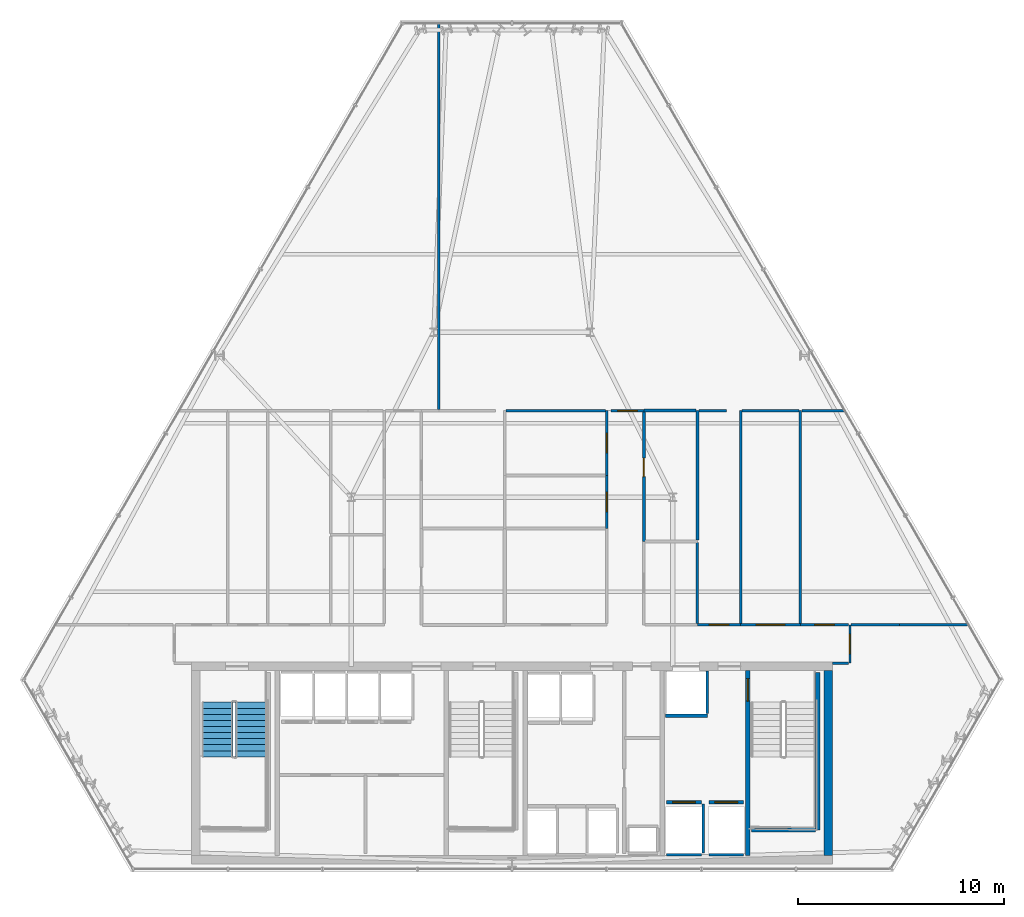
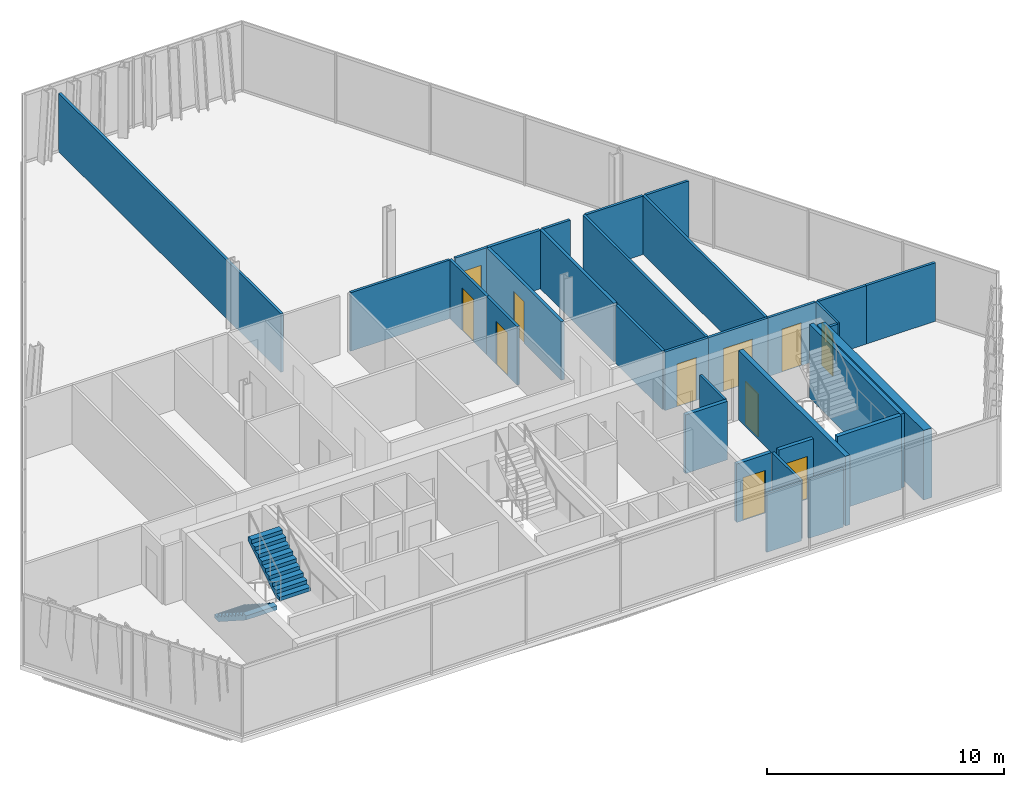
# One storey, part 29 of 33: 32 walls, 11 doors, 2 stair flights, 11 openings, 1 element without a shape of its own.
"""IFC4 building model written with IfcOpenShell, lengths in metres."""

from ifc_helpers import new_model, si_unit, direction, frame, frame_2d, origin, place, context, subcontext, project, spatial, polyline, rectangle, outline, extrude, material, layer, layer_set, type_object, element, fill, aggregate, save


model = new_model("IFC4")

# Units and contexts
model_context = context("Model", 3, precision=1e-05, world=origin(), true_north=direction((0.0, 1.0)))
body_context = subcontext(model_context, "Body", "Model", "MODEL_VIEW")
ifc_project = project(units=[si_unit("LENGTHUNIT", "METRE"), si_unit("AREAUNIT", "SQUARE_METRE"), si_unit("VOLUMEUNIT", "CUBIC_METRE"), si_unit("PLANEANGLEUNIT", "RADIAN"), si_unit("MASSUNIT", "GRAM", prefix="KILO")], contexts=[model_context])

# Site, building, storey
site_placement = place(None, origin())
site = spatial("IfcSite", under=ifc_project, at=site_placement, CompositionType="ELEMENT")
building_placement = place(site_placement, origin())
building = spatial("IfcBuilding", under=site, at=building_placement, Name="Ndaravel Arena Tower", CompositionType="ELEMENT")
storey_placement = place(building_placement, frame((0.0, 0.0, 168.800048828125)))
storey = spatial("IfcBuildingStorey", under=building, at=storey_placement, Name="L40", CompositionType="ELEMENT", Elevation=168.800048828125)

# Wall, opening, door
ifc_material_1 = material(Name="Concrete C50/60", Category="concrete")
ifc_layer_1 = layer(ifc_material_1, 0.219970703125)
ifc_layer_set_1 = layer_set([ifc_layer_1], Name="Concrete C50/60")
wall_type_1 = type_object("IfcWallType", Name="WALL-CORE-220", PredefinedType="SOLIDWALL", material=ifc_layer_set_1)
wall_1_placement = place(storey_placement, frame((53.449951171875, 5.800048828125, 0.0), z_axis=(0.0, 0.0, 1.0), x_axis=(0.0, 1.0, 0.0)))
wall_1 = element("IfcWall", 1, at=wall_1_placement, inside=storey, type_object=wall_type_1, Name="L40 Core Web Shear Wall 5", PredefinedType="SOLIDWALL", context=body_context, shape_type="SweptSolid", body=[
    extrude(rectangle(XDim=9.0, YDim=0.219970703125, at=frame_2d((4.5, 0.0))), origin(), (0.0, 0.0, 1.0), 3.579833984375),
])
opening_1_placement = place(wall_1_placement, frame((7.5, 0.0, 0.0)))
opening_1 = element("IfcOpeningElement", 2, at=opening_1_placement, cuts=wall_1, Name="Opening FD-01", PredefinedType="OPENING", context=body_context, shape_type="SweptSolid", body=[
    extrude(rectangle(XDim=1.10009765625, YDim=2.199951171875, at=frame_2d((0.550048828125, 1.10009765625))), frame((0.0, 0.10986328125, 0.0), z_axis=(0.0, -1.0, 0.0), x_axis=(1.0, 0.0, 0.0)), (0.0, 0.0, 1.0), 0.219970703125),
])
ifc_material_2 = material(Name="Steel S355", Category="steel")
door_type_1 = type_object("IfcDoorType", Name="DT-01-STAIR-1100", OperationType="SINGLE_SWING_LEFT", PredefinedType="DOOR", material=ifc_material_2)
door_1_placement = place(opening_1_placement, origin())
door_1 = element("IfcDoor", 3, at=door_1_placement, inside=storey, type_object=door_type_1, Name="L40 Firefighting Lobby to ST-3 Door", OperationType="SINGLE_SWING_LEFT", OverallHeight=2.199951171875, OverallWidth=1.10009765625, PredefinedType="DOOR", context=body_context, shape_type="SweptSolid", body=[
    extrude(rectangle(XDim=1.10009765625, YDim=2.199951171875, at=frame_2d((0.550048828125, 1.10009765625))), frame((0.0, 0.02490234375, 0.0), z_axis=(0.0, -1.0, 0.0), x_axis=(1.0, 0.0, 0.0)), (0.0, 0.0, 1.0), 0.050048828125),
])
fill(opening_1, door_1)

# Wall
ifc_material_3 = material(Name="Concrete C50/60", Category="concrete")
ifc_layer_2 = layer(ifc_material_3, 0.39990234375)
ifc_layer_set_2 = layer_set([ifc_layer_2], Name="Concrete C50/60")
wall_type_2 = type_object("IfcWallType", Name="WALL-CORE-400", PredefinedType="SOLIDWALL", material=ifc_layer_set_2)
wall_2_placement = place(storey_placement, frame((57.35009765625, 5.800048828125, 0.0), z_axis=(0.0, 0.0, 1.0), x_axis=(0.0, 1.0, 0.0)))
element("IfcWall", 4, at=wall_2_placement, inside=storey, type_object=wall_type_2, Name="L40 Core East Shear Wall", PredefinedType="SOLIDWALL", context=body_context, shape_type="SweptSolid", body=[
    extrude(rectangle(XDim=9.0, YDim=0.39990234375, at=frame_2d((4.5, 0.0))), origin(), (0.0, 0.0, 1.0), 3.579833984375),
])

# Wall, opening, door
ifc_material_4 = material(Name="Timber", Category="wood")
ifc_layer_3 = layer(ifc_material_4, 0.10009765625)
ifc_layer_set_3 = layer_set([ifc_layer_3], Name="Timber")
wall_type_3 = type_object("IfcWallType", Name="WALL-MOVABLE-100", PredefinedType="MOVABLE", material=ifc_layer_set_3)
wall_3_placement = place(storey_placement, frame((58.39990234375, 17.0, 0.0), z_axis=(0.0, 0.0, 1.0), x_axis=(0.0, -1.0, 0.0)))
wall_3 = element("IfcWall", 5, at=wall_3_placement, inside=storey, type_object=wall_type_3, Name="L40 Interior Partition 001", PredefinedType="MOVABLE", context=body_context, shape_type="SweptSolid", body=[
    extrude(rectangle(XDim=1.85009765625, YDim=0.10009765625, at=frame_2d((0.925048828125, 0.0))), origin(), (0.0, 0.0, 1.0), 3.010498046875),
])
opening_2_placement = place(wall_3_placement, frame((0.449951171875, 0.0, 0.0)))
opening_2 = element("IfcOpeningElement", 6, at=opening_2_placement, cuts=wall_3, Name="Opening ID-01", PredefinedType="OPENING", context=body_context, shape_type="SweptSolid", body=[
    extrude(rectangle(XDim=0.949951171875, YDim=2.199951171875, at=frame_2d((0.47509765625, 1.10009765625))), frame((0.0, 0.050048828125, 0.0), z_axis=(0.0, -1.0, 0.0), x_axis=(1.0, 0.0, 0.0)), (0.0, 0.0, 1.0), 0.10009765625),
])
ifc_material_5 = material(Name="Timber", Category="wood")
door_type_2 = type_object("IfcDoorType", Name="DT-03-OFFICE-950", OperationType="SINGLE_SWING_LEFT", PredefinedType="DOOR", material=ifc_material_5)
door_2_placement = place(opening_2_placement, origin())
door_2 = element("IfcDoor", 7, at=door_2_placement, inside=storey, type_object=door_type_2, Name="L40 Staff Wellness Clinic Door", OperationType="SINGLE_SWING_RIGHT", OverallHeight=2.199951171875, OverallWidth=0.949951171875, PredefinedType="DOOR", context=body_context, shape_type="SweptSolid", body=[
    extrude(rectangle(XDim=0.949951171875, YDim=2.199951171875, at=frame_2d((0.47509765625, 1.10009765625))), frame((0.0, 0.02490234375, 0.0), z_axis=(0.0, -1.0, 0.0), x_axis=(1.0, 0.0, 0.0)), (0.0, 0.0, 1.0), 0.050048828125),
])
fill(opening_2, door_2)

# Wall
ifc_material_6 = material(Name="Gypsum", Category="gypsum")
ifc_layer_4 = layer(ifc_material_6, 0.125)
ifc_layer_set_4 = layer_set([ifc_layer_4], Name="Gypsum")
wall_type_4 = type_object("IfcWallType", Name="WALL-PART-125", PredefinedType="PARTITIONING", material=ifc_layer_set_4)
wall_4_placement = place(storey_placement, frame((58.3349609375, 15.14990234375, 0.0), z_axis=(0.0, 0.0, 1.0), x_axis=(-1.0, 0.0, 0.0)))
element("IfcWall", 8, at=wall_4_placement, inside=storey, type_object=wall_type_4, Name="L40 Interior Partition 002", PredefinedType="PARTITIONING", context=body_context, shape_type="SweptSolid", body=[
    extrude(rectangle(XDim=0.784912109375, YDim=0.125, at=frame_2d((0.392578125, 0.0))), origin(), (0.0, 0.0, 1.0), 3.010498046875),
])

# Wall, opening, door
wall_5_placement = place(storey_placement, frame((46.60009765625, 21.679931640625, 0.0), z_axis=(0.0, 0.0, 1.0), x_axis=(0.0, 1.0, 0.0)))
wall_5 = element("IfcWall", 9, at=wall_5_placement, inside=storey, type_object=wall_type_4, Name="L40 Interior Partition 017", PredefinedType="PARTITIONING", context=body_context, shape_type="SweptSolid", body=[
    extrude(rectangle(XDim=2.573974609375, YDim=0.125, at=frame_2d((1.287109375, 0.0))), origin(), (0.0, 0.0, 1.0), 3.010498046875),
])
opening_3_placement = place(wall_5_placement, frame((0.81201171875, 0.0, 0.0)))
opening_3 = element("IfcOpeningElement", 10, at=opening_3_placement, cuts=wall_5, Name="Opening ID-01", PredefinedType="OPENING", context=body_context, shape_type="SweptSolid", body=[
    extrude(rectangle(XDim=0.949951171875, YDim=2.199951171875, at=frame_2d((0.47509765625, 1.10009765625))), frame((0.0, 0.0625, 0.0), z_axis=(0.0, -1.0, 0.0), x_axis=(1.0, 0.0, 0.0)), (0.0, 0.0, 1.0), 0.125),
])
door_3_placement = place(opening_3_placement, origin())
door_3 = element("IfcDoor", 11, at=door_3_placement, inside=storey, type_object=door_type_2, Name="L40 Staff Wellness Clinic 5 Door", OperationType="SINGLE_SWING_LEFT", OverallHeight=2.199951171875, OverallWidth=0.949951171875, PredefinedType="DOOR", context=body_context, shape_type="SweptSolid", body=[
    extrude(rectangle(XDim=0.949951171875, YDim=2.199951171875, at=frame_2d((0.47509765625, 1.10009765625))), frame((0.0, 0.02490234375, 0.0), z_axis=(0.0, -1.0, 0.0), x_axis=(1.0, 0.0, 0.0)), (0.0, 0.0, 1.0), 0.050048828125),
])
fill(opening_3, door_3)

wall_6_placement = place(storey_placement, frame((46.60009765625, 24.25390625, 0.0), z_axis=(0.0, 0.0, 1.0), x_axis=(0.0, 1.0, 0.0)))
wall_6 = element("IfcWall", 12, at=wall_6_placement, inside=storey, type_object=wall_type_4, Name="L40 Interior Partition 018", PredefinedType="PARTITIONING", context=body_context, shape_type="SweptSolid", body=[
    extrude(rectangle(XDim=3.14599609375, YDim=0.125, at=frame_2d((1.572998046875, 0.0))), origin(), (0.0, 0.0, 1.0), 3.010498046875),
])
opening_4_placement = place(wall_6_placement, frame((1.097900390625, 0.0, 0.0)))
opening_4 = element("IfcOpeningElement", 13, at=opening_4_placement, cuts=wall_6, Name="Opening ID-01", PredefinedType="OPENING", context=body_context, shape_type="SweptSolid", body=[
    extrude(rectangle(XDim=0.949951171875, YDim=2.199951171875, at=frame_2d((0.47509765625, 1.10009765625))), frame((0.0, 0.0625, 0.0), z_axis=(0.0, -1.0, 0.0), x_axis=(1.0, 0.0, 0.0)), (0.0, 0.0, 1.0), 0.125),
])
door_4_placement = place(opening_4_placement, origin())
door_4 = element("IfcDoor", 14, at=door_4_placement, inside=storey, type_object=door_type_2, Name="L40 Project Seminar Room 7 Door", OperationType="SINGLE_SWING_LEFT", OverallHeight=2.199951171875, OverallWidth=0.949951171875, PredefinedType="DOOR", context=body_context, shape_type="SweptSolid", body=[
    extrude(rectangle(XDim=0.949951171875, YDim=2.199951171875, at=frame_2d((0.47509765625, 1.10009765625))), frame((0.0, 0.02490234375, 0.0), z_axis=(0.0, -1.0, 0.0), x_axis=(1.0, 0.0, 0.0)), (0.0, 0.0, 1.0), 0.050048828125),
])
fill(opening_4, door_4)

wall_7_placement = place(storey_placement, frame((46.800048828125, 27.39990234375, 0.0), z_axis=(0.0, 0.0, 1.0), x_axis=(1.0, 0.0, 0.0)))
wall_7 = element("IfcWall", 15, at=wall_7_placement, inside=storey, type_object=wall_type_4, Name="L40 Interior Partition 019", PredefinedType="PARTITIONING", context=body_context, shape_type="SweptSolid", body=[
    extrude(rectangle(XDim=1.599853515625, YDim=0.125, at=frame_2d((0.7998046875, 0.0))), origin(), (0.0, 0.0, 1.0), 3.010498046875),
])
opening_5_placement = place(wall_7_placement, frame((0.324951171875, 0.0, 0.0)))
opening_5 = element("IfcOpeningElement", 16, at=opening_5_placement, cuts=wall_7, Name="Opening ID-01", PredefinedType="OPENING", context=body_context, shape_type="SweptSolid", body=[
    extrude(rectangle(XDim=0.949951171875, YDim=2.199951171875, at=frame_2d((0.47509765625, 1.10009765625))), frame((0.0, 0.0625, 0.0), z_axis=(0.0, -1.0, 0.0), x_axis=(1.0, 0.0, 0.0)), (0.0, 0.0, 1.0), 0.125),
])
door_5_placement = place(opening_5_placement, origin())
door_5 = element("IfcDoor", 17, at=door_5_placement, inside=storey, type_object=door_type_2, Name="L40 Training Classroom 8 Door", OperationType="SINGLE_SWING_LEFT", OverallHeight=2.199951171875, OverallWidth=0.949951171875, PredefinedType="DOOR", context=body_context, shape_type="SweptSolid", body=[
    extrude(rectangle(XDim=0.949951171875, YDim=2.199951171875, at=frame_2d((0.47509765625, 1.10009765625))), frame((0.0, 0.02490234375, 0.0), z_axis=(0.0, -1.0, 0.0), x_axis=(1.0, 0.0, 0.0)), (0.0, 0.0, 1.0), 0.050048828125),
])
fill(opening_5, door_5)

wall_8_placement = place(storey_placement, frame((51.0, 17.0, 0.0), z_axis=(0.0, 0.0, 1.0), x_axis=(1.0, 0.0, 0.0)))
wall_8 = element("IfcWall", 18, at=wall_8_placement, inside=storey, type_object=wall_type_4, Name="L40 Interior Partition 023", PredefinedType="PARTITIONING", context=body_context, shape_type="SweptSolid", body=[
    extrude(rectangle(XDim=2.10009765625, YDim=0.125, at=frame_2d((1.050048828125, 0.0))), origin(), (0.0, 0.0, 1.0), 3.010498046875),
])
opening_6_placement = place(wall_8_placement, frame((0.574951171875, 0.0, 0.0)))
opening_6 = element("IfcOpeningElement", 19, at=opening_6_placement, cuts=wall_8, Name="Opening ID-01", PredefinedType="OPENING", context=body_context, shape_type="SweptSolid", body=[
    extrude(rectangle(XDim=0.949951171875, YDim=2.199951171875, at=frame_2d((0.47509765625, 1.10009765625))), frame((0.0, 0.0625, 0.0), z_axis=(0.0, -1.0, 0.0), x_axis=(1.0, 0.0, 0.0)), (0.0, 0.0, 1.0), 0.125),
])
door_6_placement = place(opening_6_placement, origin())
door_6 = element("IfcDoor", 20, at=door_6_placement, inside=storey, type_object=door_type_2, Name="L40 Physio Therapy Room 4 Door", OperationType="SINGLE_SWING_LEFT", OverallHeight=2.199951171875, OverallWidth=0.949951171875, PredefinedType="DOOR", context=body_context, shape_type="SweptSolid", body=[
    extrude(rectangle(XDim=0.949951171875, YDim=2.199951171875, at=frame_2d((0.47509765625, 1.10009765625))), frame((0.0, 0.02490234375, 0.0), z_axis=(0.0, -1.0, 0.0), x_axis=(1.0, 0.0, 0.0)), (0.0, 0.0, 1.0), 0.050048828125),
])
fill(opening_6, door_6)

wall_9_placement = place(storey_placement, frame((53.10009765625, 17.0, 0.0), z_axis=(0.0, 0.0, 1.0), x_axis=(1.0, 0.0, 0.0)))
wall_9 = element("IfcWall", 21, at=wall_9_placement, inside=storey, type_object=wall_type_4, Name="L40 Interior Partition 024", PredefinedType="PARTITIONING", context=body_context, shape_type="SweptSolid", body=[
    extrude(rectangle(XDim=2.89990234375, YDim=0.125, at=frame_2d((1.449951171875, 0.0))), origin(), (0.0, 0.0, 1.0), 3.010498046875),
])
opening_7_placement = place(wall_9_placement, frame((0.75, 0.0, 0.0)))
opening_7 = element("IfcOpeningElement", 22, at=opening_7_placement, cuts=wall_9, Name="Opening ID-02", PredefinedType="OPENING", context=body_context, shape_type="SweptSolid", body=[
    extrude(rectangle(XDim=1.39990234375, YDim=2.199951171875, at=frame_2d((0.699951171875, 1.10009765625))), frame((0.0, 0.0625, 0.0), z_axis=(0.0, -1.0, 0.0), x_axis=(1.0, 0.0, 0.0)), (0.0, 0.0, 1.0), 0.125),
])
ifc_material_7 = material(Name="Timber", Category="wood")
door_type_3 = type_object("IfcDoorType", Name="DT-04-SUITE-1400", OperationType="DOUBLE_DOOR_SINGLE_SWING", PredefinedType="DOOR", material=ifc_material_7)
door_7_placement = place(opening_7_placement, origin())
door_7 = element("IfcDoor", 23, at=door_7_placement, inside=storey, type_object=door_type_3, Name="L40 Executive Boardroom 5 Door", OperationType="SINGLE_SWING_RIGHT", OverallHeight=2.199951171875, OverallWidth=1.39990234375, PredefinedType="DOOR", context=body_context, shape_type="SweptSolid", body=[
    extrude(rectangle(XDim=1.39990234375, YDim=2.199951171875, at=frame_2d((0.699951171875, 1.10009765625))), frame((0.0, 0.02490234375, 0.0), z_axis=(0.0, -1.0, 0.0), x_axis=(1.0, 0.0, 0.0)), (0.0, 0.0, 1.0), 0.050048828125),
])
fill(opening_7, door_7)

wall_10_placement = place(storey_placement, frame((56.0, 17.0, 0.0), z_axis=(0.0, 0.0, 1.0), x_axis=(1.0, 0.0, 0.0)))
wall_10 = element("IfcWall", 24, at=wall_10_placement, inside=storey, type_object=wall_type_4, Name="L40 Interior Partition 025", PredefinedType="PARTITIONING", context=body_context, shape_type="SweptSolid", body=[
    extrude(rectangle(XDim=2.3349609375, YDim=0.125, at=frame_2d((1.16748046875, 0.0))), origin(), (0.0, 0.0, 1.0), 3.010498046875),
])
opening_8_placement = place(wall_10_placement, frame((0.6923828125, 0.0, 0.0)))
opening_8 = element("IfcOpeningElement", 25, at=opening_8_placement, cuts=wall_10, Name="Opening ID-01", PredefinedType="OPENING", context=body_context, shape_type="SweptSolid", body=[
    extrude(rectangle(XDim=0.949951171875, YDim=2.199951171875, at=frame_2d((0.47509765625, 1.10009765625))), frame((0.0, 0.0625, 0.0), z_axis=(0.0, -1.0, 0.0), x_axis=(1.0, 0.0, 0.0)), (0.0, 0.0, 1.0), 0.125),
])
door_8_placement = place(opening_8_placement, origin())
door_8 = element("IfcDoor", 26, at=door_8_placement, inside=storey, type_object=door_type_2, Name="L40 Project Seminar Room 3 Door", OperationType="SINGLE_SWING_LEFT", OverallHeight=2.199951171875, OverallWidth=0.949951171875, PredefinedType="DOOR", context=body_context, shape_type="SweptSolid", body=[
    extrude(rectangle(XDim=0.949951171875, YDim=2.199951171875, at=frame_2d((0.47509765625, 1.10009765625))), frame((0.0, 0.02490234375, 0.0), z_axis=(0.0, -1.0, 0.0), x_axis=(1.0, 0.0, 0.0)), (0.0, 0.0, 1.0), 0.050048828125),
])
fill(opening_8, door_8)

# Walls
wall_11_placement = place(storey_placement, frame((58.465087890625, 17.0, 0.0), z_axis=(0.0, 0.0, 1.0), x_axis=(1.0, 0.0, 0.0)))
element("IfcWall", 27, at=wall_11_placement, inside=storey, type_object=wall_type_4, Name="L40 Interior Partition 028", PredefinedType="PARTITIONING", context=body_context, shape_type="SweptSolid", body=[
    extrude(rectangle(XDim=2.3349609375, YDim=0.125, at=frame_2d((1.16748046875, 0.0))), origin(), (0.0, 0.0, 1.0), 3.010498046875),
])
wall_12_placement = place(storey_placement, frame((60.800048828125, 17.0, 0.0), z_axis=(0.0, 0.0, 1.0), x_axis=(1.0, 0.0, 0.0)))
element("IfcWall", 28, at=wall_12_placement, inside=storey, type_object=wall_type_4, Name="L40 Interior Partition 029", PredefinedType="PARTITIONING", context=body_context, shape_type="SweptSolid", body=[
    extrude(rectangle(XDim=3.364501953125, YDim=0.125, at=frame_2d((1.68212890625, 0.0))), origin(), (0.0, 0.0, 1.0), 3.010498046875),
])
wall_13_placement = place(storey_placement, frame((51.0, 20.990966796875, 0.0), z_axis=(0.0, 0.0, 1.0), x_axis=(0.0, -1.0, 0.0)))
element("IfcWall", 29, at=wall_13_placement, inside=storey, type_object=wall_type_4, Name="L40 Interior Partition 031", PredefinedType="PARTITIONING", context=body_context, shape_type="SweptSolid", body=[
    extrude(rectangle(XDim=3.926025390625, YDim=0.125, at=frame_2d((1.962890625, 0.0))), origin(), (0.0, 0.0, 1.0), 3.010498046875),
])
wall_14_placement = place(storey_placement, frame((56.0, 17.06494140625, 0.0), z_axis=(0.0, 0.0, 1.0), x_axis=(0.0, 1.0, 0.0)))
element("IfcWall", 30, at=wall_14_placement, inside=storey, type_object=wall_type_4, Name="L40 Interior Partition 037", PredefinedType="PARTITIONING", context=body_context, shape_type="SweptSolid", body=[
    extrude(rectangle(XDim=10.3349609375, YDim=0.125, at=frame_2d((5.16748046875, 0.0))), origin(), (0.0, 0.0, 1.0), 3.010498046875),
])
wall_15_placement = place(storey_placement, frame((56.06494140625, 27.39990234375, 0.0), z_axis=(0.0, 0.0, 1.0), x_axis=(1.0, 0.0, 0.0)))
element("IfcWall", 31, at=wall_15_placement, inside=storey, type_object=wall_type_4, Name="L40 Interior Partition 038", PredefinedType="PARTITIONING", context=body_context, shape_type="SweptSolid", body=[
    extrude(rectangle(XDim=2.09521484375, YDim=0.125, at=frame_2d((1.047607421875, 0.0))), origin(), (0.0, 0.0, 1.0), 3.010498046875),
])
wall_16_placement = place(storey_placement, frame((51.06494140625, 27.39990234375, 0.0), z_axis=(0.0, 0.0, 1.0), x_axis=(1.0, 0.0, 0.0)))
element("IfcWall", 32, at=wall_16_placement, inside=storey, type_object=wall_type_4, Name="L40 Interior Partition 046", PredefinedType="PARTITIONING", context=body_context, shape_type="SweptSolid", body=[
    extrude(rectangle(XDim=1.3349609375, YDim=0.125, at=frame_2d((0.66748046875, 0.0))), origin(), (0.0, 0.0, 1.0), 3.010498046875),
])
wall_17_placement = place(storey_placement, frame((53.10009765625, 27.39990234375, 0.0), z_axis=(0.0, 0.0, 1.0), x_axis=(0.0, -1.0, 0.0)))
element("IfcWall", 33, at=wall_17_placement, inside=storey, type_object=wall_type_4, Name="L40 Interior Partition 047", PredefinedType="PARTITIONING", context=body_context, shape_type="SweptSolid", body=[
    extrude(rectangle(XDim=10.3349609375, YDim=0.125, at=frame_2d((5.16748046875, 0.0))), origin(), (0.0, 0.0, 1.0), 3.010498046875),
])
wall_18_placement = place(storey_placement, frame((53.1650390625, 27.39990234375, 0.0), z_axis=(0.0, 0.0, 1.0), x_axis=(1.0, 0.0, 0.0)))
element("IfcWall", 34, at=wall_18_placement, inside=storey, type_object=wall_type_4, Name="L40 Interior Partition 048", PredefinedType="PARTITIONING", context=body_context, shape_type="SweptSolid", body=[
    extrude(rectangle(XDim=2.77001953125, YDim=0.125, at=frame_2d((1.385009765625, 0.0))), origin(), (0.0, 0.0, 1.0), 3.010498046875),
])
wall_19_placement = place(storey_placement, frame((41.715087890625, 27.39990234375, 0.0), z_axis=(0.0, 0.0, 1.0), x_axis=(1.0, 0.0, 0.0)))
element("IfcWall", 35, at=wall_19_placement, inside=storey, type_object=wall_type_4, Name="L40 Interior Partition 057", PredefinedType="PARTITIONING", context=body_context, shape_type="SweptSolid", body=[
    extrude(rectangle(XDim=4.81982421875, YDim=0.125, at=frame_2d((2.409912109375, 0.0))), origin(), (0.0, 0.0, 1.0), 3.010498046875),
])
wall_20_placement = place(storey_placement, frame((38.44482421875, 46.20166015625, 0.0), z_axis=(0.0, 0.0, 1.0), x_axis=(0.0, -1.0, 0.0)))
element("IfcWall", 36, at=wall_20_placement, inside=storey, type_object=wall_type_4, Name="L40 Interior Partition 058", PredefinedType="PARTITIONING", context=body_context, shape_type="SweptSolid", body=[
    extrude(rectangle(XDim=18.736572265625, YDim=0.125, at=frame_2d((9.3681640625, 0.0))), origin(), (0.0, 0.0, 1.0), 3.010498046875),
])
ifc_material_8 = material(Name="Concrete C40/50", Category="concrete")
ifc_layer_5 = layer(ifc_material_8, 0.1201171875)
ifc_layer_set_5 = layer_set([ifc_layer_5], Name="Concrete C40/50")
wall_type_5 = type_object("IfcWallType", Name="WALL-SHAFT-120", PredefinedType="SOLIDWALL", material=ifc_layer_set_5)
wall_21_placement = place(storey_placement, frame((49.5048828125, 5.840087890625, 0.0), z_axis=(0.0, 0.0, 1.0), x_axis=(1.0, 0.0, 0.0)))
element("IfcWall", 37, at=wall_21_placement, inside=storey, type_object=wall_type_5, Name="L40 FFL-1 Shaft Rear Wall", PredefinedType="SOLIDWALL", context=body_context, shape_type="SweptSolid", body=[
    extrude(rectangle(XDim=1.690185546875, YDim=0.1201171875, at=frame_2d((0.84521484375, 0.0))), origin(), (0.0, 0.0, 1.0), 3.010498046875),
])
wall_22_placement = place(storey_placement, frame((51.27490234375, 5.929931640625, 0.0), z_axis=(0.0, 0.0, 1.0), x_axis=(0.0, 1.0, 0.0)))
element("IfcWall", 38, at=wall_22_placement, inside=storey, type_object=wall_type_5, Name="L40 FFL-1 Shaft Side R Wall", PredefinedType="SOLIDWALL", context=body_context, shape_type="SweptSolid", body=[
    extrude(rectangle(XDim=2.380126953125, YDim=0.1201171875, at=frame_2d((1.18994140625, 0.0))), origin(), (0.0, 0.0, 1.0), 3.010498046875),
])
wall_23_placement = place(storey_placement, frame((51.554931640625, 5.840087890625, 0.0), z_axis=(0.0, 0.0, 1.0), x_axis=(1.0, 0.0, 0.0)))
element("IfcWall", 39, at=wall_23_placement, inside=storey, type_object=wall_type_5, Name="L40 FFL-2 Shaft Rear Wall", PredefinedType="SOLIDWALL", context=body_context, shape_type="SweptSolid", body=[
    extrude(rectangle(XDim=1.690185546875, YDim=0.1201171875, at=frame_2d((0.84521484375, 0.0))), origin(), (0.0, 0.0, 1.0), 3.010498046875),
])
wall_24_placement = place(storey_placement, frame((51.47998046875, 12.68994140625, 0.0), z_axis=(0.0, 0.0, 1.0), x_axis=(0.0, 1.0, 0.0)))
element("IfcWall", 40, at=wall_24_placement, inside=storey, type_object=wall_type_5, Name="L40 SVL-1 Shaft E Wall", PredefinedType="SOLIDWALL", context=body_context, shape_type="SweptSolid", body=[
    extrude(rectangle(XDim=2.070068359375, YDim=0.1201171875, at=frame_2d((1.03515625, 0.0))), origin(), (0.0, 0.0, 1.0), 3.010498046875),
])
ifc_material_9 = material(Name="Concrete C40/50", Category="concrete")
ifc_layer_6 = layer(ifc_material_9, 0.199951171875)
ifc_layer_set_6 = layer_set([ifc_layer_6], Name="Concrete C40/50")
wall_type_6 = type_object("IfcWallType", Name="WALL-SHAFT-200", PredefinedType="SOLIDWALL", material=ifc_layer_set_6)
wall_25_placement = place(storey_placement, frame((56.840087890625, 14.699951171875, 0.0), z_axis=(0.0, 0.0, 1.0), x_axis=(0.0, -1.0, 0.0)))
element("IfcWall", 41, at=wall_25_placement, inside=storey, type_object=wall_type_6, Name="L40 ST-3 Structural Shaft Wall Right", PredefinedType="SOLIDWALL", context=body_context, shape_type="SweptSolid", body=[
    extrude(rectangle(XDim=7.64990234375, YDim=0.199951171875, at=frame_2d((3.824951171875, 0.0))), origin(), (0.0, 0.0, 1.0), 3.800048828125),
])
wall_26_placement = place(storey_placement, frame((53.6201171875, 7.050048828125, 0.0), z_axis=(0.0, 0.0, 1.0), x_axis=(1.0, 0.0, 0.0)))
element("IfcWall", 42, at=wall_26_placement, inside=storey, type_object=wall_type_6, Name="L40 ST-3 Structural Shaft Wall Far", PredefinedType="SOLIDWALL", context=body_context, shape_type="SweptSolid", body=[
    extrude(rectangle(XDim=3.114990234375, YDim=0.199951171875, at=frame_2d((1.5576171875, 0.0))), origin(), (0.0, 0.0, 1.0), 3.800048828125),
])

# Wall, opening, door
wall_27_placement = place(storey_placement, frame((49.5048828125, 8.39990234375, 0.0), z_axis=(0.0, 0.0, 1.0), x_axis=(1.0, 0.0, 0.0)))
wall_27 = element("IfcWall", 43, at=wall_27_placement, inside=storey, type_object=wall_type_6, Name="L40 FFL-1 Shaft Landing Wall", PredefinedType="SOLIDWALL", context=body_context, shape_type="SweptSolid", body=[
    extrude(rectangle(XDim=1.690185546875, YDim=0.179931640625, at=frame_2d((0.84521484375, 0.0))), origin(), (0.0, 0.0, 1.0), 3.010498046875),
])
opening_9_placement = place(wall_27_placement, frame((0.294921875, 0.0, 0.0)))
opening_9 = element("IfcOpeningElement", 44, at=opening_9_placement, cuts=wall_27, Name="Opening LD-01", PredefinedType="OPENING", context=body_context, shape_type="SweptSolid", body=[
    extrude(rectangle(XDim=1.10009765625, YDim=2.199951171875, at=frame_2d((0.550048828125, 1.10009765625))), frame((0.0, 0.08984375, 0.0), z_axis=(0.0, -1.0, 0.0), x_axis=(1.0, 0.0, 0.0)), (0.0, 0.0, 1.0), 0.179931640625),
])
ifc_material_10 = material(Name="Steel S355", Category="steel")
door_type_4 = type_object("IfcDoorType", Name="DT-06-LIFT-1100", OperationType="SLIDING_TO_LEFT", PredefinedType="DOOR", material=ifc_material_10)
door_9_placement = place(opening_9_placement, origin())
door_9 = element("IfcDoor", 45, at=door_9_placement, inside=storey, type_object=door_type_4, Name="L40 Lift FFL-1 Sliding Landing Door", OperationType="SLIDING_TO_LEFT", OverallHeight=2.199951171875, OverallWidth=1.10009765625, PredefinedType="DOOR", context=body_context, shape_type="SweptSolid", body=[
    extrude(rectangle(XDim=1.10009765625, YDim=2.199951171875, at=frame_2d((0.550048828125, 1.10009765625))), frame((0.0, 0.02490234375, 0.0), z_axis=(0.0, -1.0, 0.0), x_axis=(1.0, 0.0, 0.0)), (0.0, 0.0, 1.0), 0.050048828125),
])
fill(opening_9, door_9)

wall_28_placement = place(storey_placement, frame((51.554931640625, 8.39990234375, 0.0), z_axis=(0.0, 0.0, 1.0), x_axis=(1.0, 0.0, 0.0)))
wall_28 = element("IfcWall", 46, at=wall_28_placement, inside=storey, type_object=wall_type_6, Name="L40 FFL-2 Shaft Landing Wall", PredefinedType="SOLIDWALL", context=body_context, shape_type="SweptSolid", body=[
    extrude(rectangle(XDim=1.690185546875, YDim=0.179931640625, at=frame_2d((0.84521484375, 0.0))), origin(), (0.0, 0.0, 1.0), 3.010498046875),
])
opening_10_placement = place(wall_28_placement, frame((0.294921875, 0.0, 0.0)))
opening_10 = element("IfcOpeningElement", 47, at=opening_10_placement, cuts=wall_28, Name="Opening LD-01", PredefinedType="OPENING", context=body_context, shape_type="SweptSolid", body=[
    extrude(rectangle(XDim=1.10009765625, YDim=2.199951171875, at=frame_2d((0.550048828125, 1.10009765625))), frame((0.0, 0.08984375, 0.0), z_axis=(0.0, -1.0, 0.0), x_axis=(1.0, 0.0, 0.0)), (0.0, 0.0, 1.0), 0.179931640625),
])
door_10_placement = place(opening_10_placement, origin())
door_10 = element("IfcDoor", 48, at=door_10_placement, inside=storey, type_object=door_type_4, Name="L40 Lift FFL-2 Sliding Landing Door", OperationType="SLIDING_TO_LEFT", OverallHeight=2.199951171875, OverallWidth=1.10009765625, PredefinedType="DOOR", context=body_context, shape_type="SweptSolid", body=[
    extrude(rectangle(XDim=1.10009765625, YDim=2.199951171875, at=frame_2d((0.550048828125, 1.10009765625))), frame((0.0, 0.02490234375, 0.0), z_axis=(0.0, -1.0, 0.0), x_axis=(1.0, 0.0, 0.0)), (0.0, 0.0, 1.0), 0.050048828125),
])
fill(opening_10, door_10)

# Wall
wall_29_placement = place(storey_placement, frame((49.43994140625, 12.594970703125, 0.0), z_axis=(0.0, 0.0, 1.0), x_axis=(1.0, 0.0, 0.0)))
element("IfcWall", 49, at=wall_29_placement, inside=storey, type_object=wall_type_6, Name="L40 SVL-1 Shaft South Wall", PredefinedType="SOLIDWALL", context=body_context, shape_type="SweptSolid", body=[
    extrude(rectangle(XDim=2.0400390625, YDim=0.179931640625, at=frame_2d((1.02001953125, 0.0))), origin(), (0.0, 0.0, 1.0), 3.010498046875),
])

# Wall, opening, door
ifc_material_11 = material(Name="Masonry", Category="masonry")
ifc_layer_7 = layer(ifc_material_11, 0.14990234375)
ifc_layer_set_7 = layer_set([ifc_layer_7], Name="Masonry")
wall_type_7 = type_object("IfcWallType", Name="WALL-WET-150", PredefinedType="PARTITIONING", material=ifc_layer_set_7)
wall_30_placement = place(storey_placement, frame((48.39990234375, 27.3349609375, 0.0), z_axis=(0.0, 0.0, 1.0), x_axis=(0.0, -1.0, 0.0)))
wall_30 = element("IfcWall", 50, at=wall_30_placement, inside=storey, type_object=wall_type_7, Name="L40 Interior Partition 020", PredefinedType="PARTITIONING", context=body_context, shape_type="SweptSolid", body=[
    extrude(rectangle(XDim=6.279052734375, YDim=0.14990234375, at=frame_2d((3.1396484375, 0.0))), origin(), (0.0, 0.0, 1.0), 3.010498046875),
])
opening_11_placement = place(wall_30_placement, frame((2.239501953125, 0.0, 0.0)))
opening_11 = element("IfcOpeningElement", 51, at=opening_11_placement, cuts=wall_30, Name="Opening WD-01", PredefinedType="OPENING", context=body_context, shape_type="SweptSolid", body=[
    extrude(rectangle(XDim=0.89990234375, YDim=2.14990234375, at=frame_2d((0.449951171875, 1.074951171875))), frame((0.0, 0.074951171875, 0.0), z_axis=(0.0, -1.0, 0.0), x_axis=(1.0, 0.0, 0.0)), (0.0, 0.0, 1.0), 0.14990234375),
])
ifc_material_12 = material(Name="Timber", Category="wood")
door_type_5 = type_object("IfcDoorType", Name="DT-05-WC-900", OperationType="SINGLE_SWING_LEFT", PredefinedType="DOOR", material=ifc_material_12)
door_11_placement = place(opening_11_placement, origin())
door_11 = element("IfcDoor", 52, at=door_11_placement, inside=storey, type_object=door_type_5, Name="L40 Female & Accessible Restroom Door", OperationType="SINGLE_SWING_RIGHT", OverallHeight=2.14990234375, OverallWidth=0.89990234375, PredefinedType="DOOR", context=body_context, shape_type="SweptSolid", body=[
    extrude(rectangle(XDim=0.89990234375, YDim=2.14990234375, at=frame_2d((0.449951171875, 1.074951171875))), frame((0.0, 0.02490234375, 0.0), z_axis=(0.0, -1.0, 0.0), x_axis=(1.0, 0.0, 0.0)), (0.0, 0.0, 1.0), 0.050048828125),
])
fill(opening_11, door_11)

# Walls
wall_31_placement = place(storey_placement, frame((51.0, 21.12109375, 0.0), z_axis=(0.0, 0.0, 1.0), x_axis=(0.0, 1.0, 0.0)))
element("IfcWall", 53, at=wall_31_placement, inside=storey, type_object=wall_type_7, Name="L40 Interior Partition 045", PredefinedType="PARTITIONING", context=body_context, shape_type="SweptSolid", body=[
    extrude(rectangle(XDim=6.27880859375, YDim=0.14990234375, at=frame_2d((3.139404296875, 0.0))), origin(), (0.0, 0.0, 1.0), 3.010498046875),
])
wall_32_placement = place(storey_placement, frame((48.39990234375, 27.39990234375, 0.0), z_axis=(0.0, 0.0, 1.0), x_axis=(1.0, 0.0, 0.0)))
element("IfcWall", 54, at=wall_32_placement, inside=storey, type_object=wall_type_7, Name="L40 Interior Partition 051", PredefinedType="PARTITIONING", context=body_context, shape_type="SweptSolid", body=[
    extrude(rectangle(XDim=2.53515625, YDim=0.14990234375, at=frame_2d((1.267578125, 0.0))), origin(), (0.0, 0.0, 1.0), 3.010498046875),
])

# Stair, stair flights
ifc_material_13 = material(Name="Concrete C40/50", Category="concrete")
stair_type = type_object("IfcStairType", Name="STAIR-CORE-HT", PredefinedType="HALF_TURN_STAIR", material=ifc_material_13)
stair_placement = place(storey_placement, origin())
stair = element("IfcStair", 55, at=stair_placement, inside=storey, type_object=stair_type, Name="L40 ST-1", PredefinedType="HALF_TURN_STAIR")
ifc_material_14 = material(Name="Concrete C40/50", Category="concrete")
stair_flight_type = type_object("IfcStairFlightType", Name="SFLIGHT-CORE-1680", PredefinedType="STRAIGHT", material=ifc_material_14)
stair_flight_1_placement = place(storey_placement, frame((27.699951171875, 13.25, 0.0), z_axis=(0.0, 0.0, 1.0), x_axis=(0.0, -1.0, 0.0)))
stair_flight_1 = element("IfcStairFlight", 56, at=stair_flight_1_placement, type_object=stair_flight_type, Name="ST-1 flight 1", NumberOfRisers=10, NumberOfTreads=9, PredefinedType="STRAIGHT", RiserHeight=0.19, TreadLength=0.295, context=body_context, shape_type="SweptSolid", body=[
    extrude(outline(polyline([(0.0, 0.0), (0.0, 0.18994140625), (0.294921875, 0.18994140625), (0.294921875, 0.3798828125), (0.590087890625, 0.3798828125), (0.590087890625, 0.570068359375), (0.885009765625, 0.570068359375), (0.885009765625, 0.760009765625), (1.179931640625, 0.760009765625), (1.179931640625, 0.949951171875), (1.47509765625, 0.949951171875), (1.47509765625, 1.139892578125), (1.77001953125, 1.139892578125), (1.77001953125, 1.330078125), (2.06494140625, 1.330078125), (2.06494140625, 1.52001953125), (2.360107421875, 1.52001953125), (2.360107421875, 1.7099609375), (2.655029296875, 1.7099609375), (2.655029296875, 1.89990234375), (2.655029296875, 1.49609375), (0.332275390625, 0.0), (0.0, 0.0)])), frame((0.0, 0.75, 0.0), z_axis=(0.0, -1.0, 0.0), x_axis=(1.0, 0.0, 0.0)), (0.0, 0.0, 1.0), 1.5),
])
stair_flight_2_placement = place(storey_placement, frame((29.340087890625, 10.594970703125, 1.89990234375), z_axis=(0.0, 0.0, 1.0), x_axis=(0.0, 1.0, 0.0)))
stair_flight_2 = element("IfcStairFlight", 57, at=stair_flight_2_placement, type_object=stair_flight_type, Name="ST-1 flight 2", NumberOfRisers=10, NumberOfTreads=9, PredefinedType="STRAIGHT", RiserHeight=0.19, TreadLength=0.295, context=body_context, shape_type="SweptSolid", body=[
    extrude(outline(polyline([(0.0, 0.0), (0.0, 0.18994140625), (0.294921875, 0.18994140625), (0.294921875, 0.3798828125), (0.590087890625, 0.3798828125), (0.590087890625, 0.570068359375), (0.885009765625, 0.570068359375), (0.885009765625, 0.760009765625), (1.179931640625, 0.760009765625), (1.179931640625, 0.949951171875), (1.47509765625, 0.949951171875), (1.47509765625, 1.139892578125), (1.77001953125, 1.139892578125), (1.77001953125, 1.330078125), (2.06494140625, 1.330078125), (2.06494140625, 1.52001953125), (2.360107421875, 1.52001953125), (2.360107421875, 1.7099609375), (2.655029296875, 1.7099609375), (2.655029296875, 1.89990234375), (2.655029296875, 1.49609375), (0.332275390625, 0.0), (0.0, 0.0)])), frame((0.0, 0.75, 0.0), z_axis=(0.0, -1.0, 0.0), x_axis=(1.0, 0.0, 0.0)), (0.0, 0.0, 1.0), 1.5),
])
aggregate(stair, [stair_flight_1, stair_flight_2])

save(model, "model.ifc")
